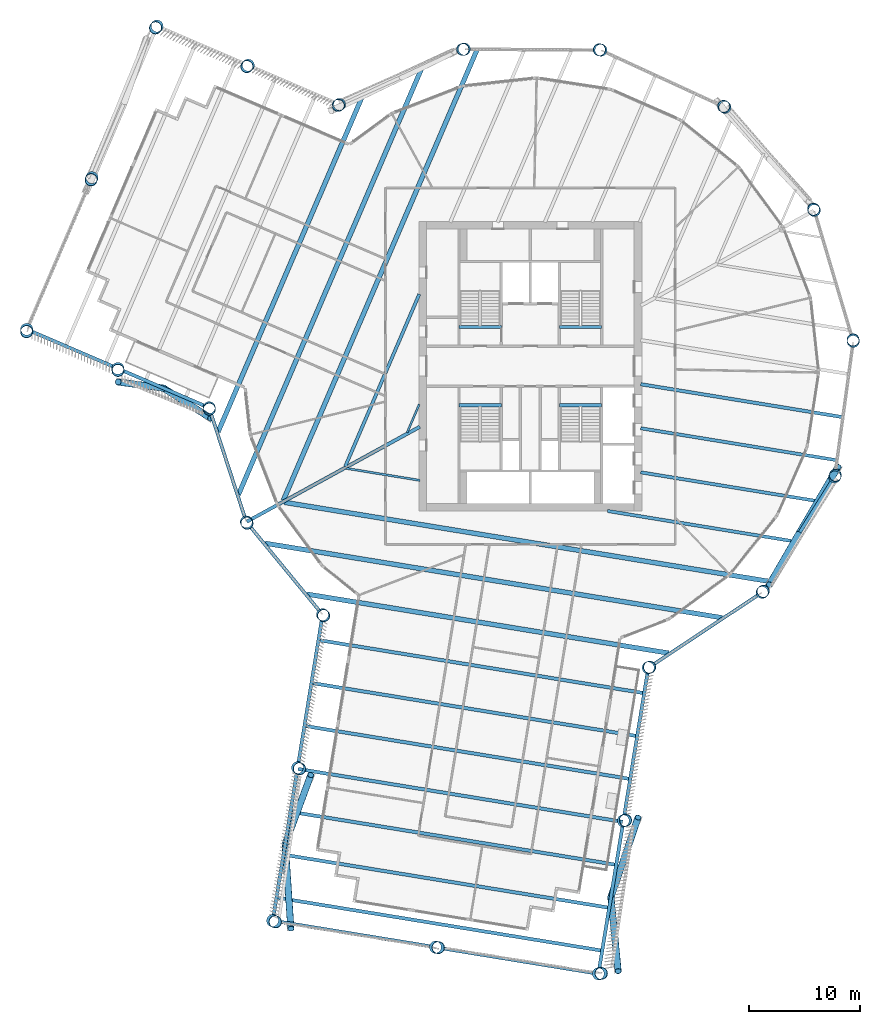
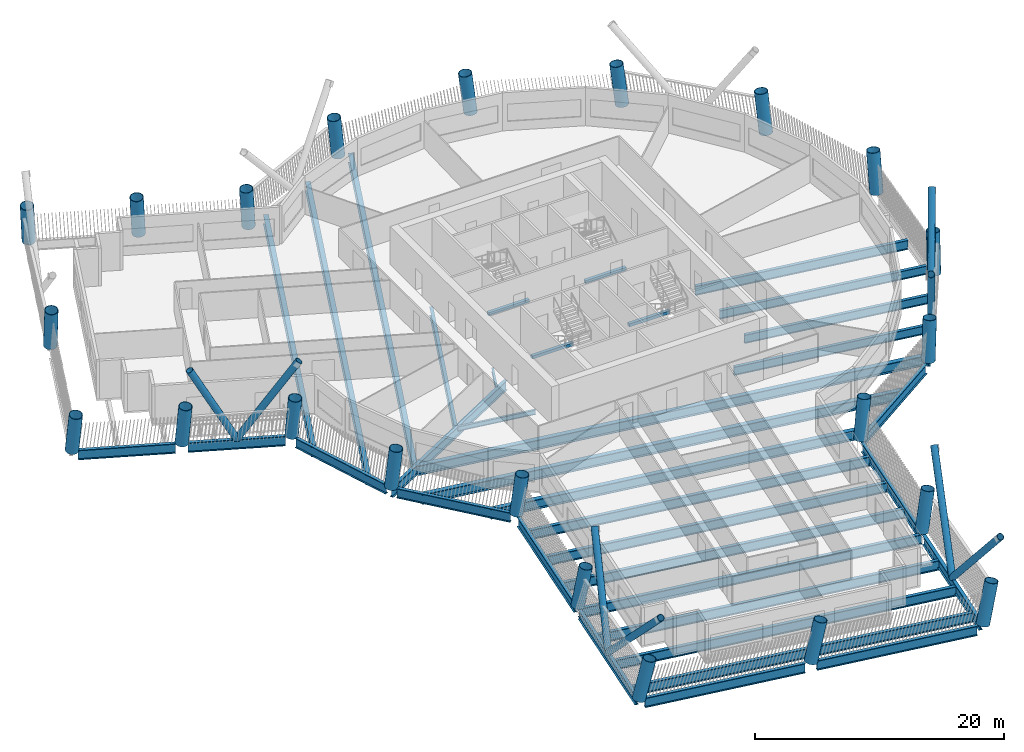
# One storey, part 1 of 22: 37 beams, 22 columns, 8 members.
"""IFC4 building model written with IfcOpenShell, lengths in metres."""

from ifc_helpers import new_model, si_unit, direction, frame, origin, origin_2d, place, context, subcontext, project, spatial, rectangle, hollow_circle, i_section, extrude, material, material_profile, profile_set, type_object, element, save


model = new_model("IFC4")

# Units and contexts
model_context = context("Model", 3, precision=1e-05, world=origin(), true_north=direction((0.0, 1.0)))
body_context = subcontext(model_context, "Body", "Model", "MODEL_VIEW")
ifc_project = project(units=[si_unit("LENGTHUNIT", "METRE"), si_unit("AREAUNIT", "SQUARE_METRE"), si_unit("VOLUMEUNIT", "CUBIC_METRE"), si_unit("PLANEANGLEUNIT", "RADIAN"), si_unit("MASSUNIT", "GRAM", prefix="KILO")], contexts=[model_context])

# Site, building, storey
site_placement = place(None, origin())
site = spatial("IfcSite", under=ifc_project, at=site_placement, CompositionType="ELEMENT")
building_placement = place(site_placement, origin())
building = spatial("IfcBuilding", under=site, at=building_placement, Name="Tarsis Ring Headquarters", CompositionType="ELEMENT")
storey_placement = place(building_placement, frame((0.0, 0.0, 186.60009765625)))
storey = spatial("IfcBuildingStorey", under=building, at=storey_placement, Name="L43", CompositionType="ELEMENT", Elevation=186.60009765625)

# Columns
ifc_material_1 = material(Name="Structural steel S355", Category="steel")
ifc_material_profile_1 = material_profile(ifc_material_1, hollow_circle(Radius=0.558837890625, WallThickness=0.044921875, at=origin_2d()), Name="CHS 1118x45")
ifc_profile_set_1 = profile_set([ifc_material_profile_1], Name="Structural steel S355")
column_type = type_object("IfcColumnType", Name="XC Exo column CHS 1118x45", PredefinedType="COLUMN", material=ifc_profile_set_1)
for number, where, z_axis, x_axis, name in (
    (1, (-25.469970703125, -13.9677734375, 0.0009765625), (0.056642316248, -0.101395970515, 0.993232352057), (0.873017307171, 0.487689226228, 0.0), "Exo column XC4 F1"),
    (2, (-18.629150390625, -22.288330078125, 0.0009765625), (0.089755552183, -0.073821140699, 0.99322423452), (0.635219013944, 0.77233205574, 0.0), "Exo column XC4 AK"),
):
    element("IfcColumn", number, at=place(storey_placement, frame(where, z_axis=z_axis, x_axis=x_axis)), inside=storey, type_object=column_type, Name=name, PredefinedType="COLUMN", context=body_context, shape_type="SweptSolid", body=[
        extrude(hollow_circle(Radius=0.558837890625, WallThickness=0.044921875, at=origin_2d()), origin(), (0.0, 0.0, 1.0), 3.92236328125),
    ])
column_1_placement = place(storey_placement, frame((-20.8662109375, -36.009521484375, 0.001220703125), z_axis=(0.143691578264, -0.081738496758, 0.986241120864), x_axis=(0.494446303218, 0.869208176005, 0.0)))
element("IfcColumn", 3, at=column_1_placement, inside=storey, type_object=column_type, Name="Exo column XC4 AI1", PredefinedType="COLUMN", context=body_context, shape_type="SweptSolid", body=[
    extrude(hollow_circle(Radius=0.558837890625, WallThickness=0.044921875, at=origin_2d()), origin(), (0.0, 0.0, 1.0), 3.94873046875),
])
column_2_placement = place(storey_placement, frame((-23.10302734375, -49.73046875, 0.00146484375), z_axis=(0.196273806454, -0.089348980848, 0.976469842095), x_axis=(0.4143163636, 0.91013293032, 0.0)))
element("IfcColumn", 4, at=column_2_placement, inside=storey, type_object=column_type, Name="Exo column XC4 AT1", PredefinedType="COLUMN", context=body_context, shape_type="SweptSolid", body=[
    extrude(hollow_circle(Radius=0.558837890625, WallThickness=0.044921875, at=origin_2d()), origin(), (0.0, 0.0, 1.0), 3.986572265625),
])
column_3_placement = place(storey_placement, frame((-8.49609375, -52.112060546875, 0.00146484375), z_axis=(0.205550533329, -0.031835489943, 0.97812855997), x_axis=(0.15305432001, 0.988217777176, 0.0)))
element("IfcColumn", 5, at=column_3_placement, inside=storey, type_object=column_type, Name="Exo column XC4 AT2", PredefinedType="COLUMN", context=body_context, shape_type="SweptSolid", body=[
    extrude(hollow_circle(Radius=0.558837890625, WallThickness=0.044921875, at=origin_2d()), origin(), (0.0, 0.0, 1.0), 3.980224609375),
])
column_4_placement = place(storey_placement, frame((6.111083984375, -54.493408203125, 0.00146484375), z_axis=(0.214153962009, 0.025720521602, 0.976461230835), x_axis=(-0.119245979902, 0.992864742187, 0.0)))
element("IfcColumn", 6, at=column_4_placement, inside=storey, type_object=column_type, Name="Exo column XC4 AT3", PredefinedType="COLUMN", context=body_context, shape_type="SweptSolid", body=[
    extrude(hollow_circle(Radius=0.558837890625, WallThickness=0.044921875, at=origin_2d()), origin(), (0.0, 0.0, 1.0), 3.986572265625),
])
column_5_placement = place(storey_placement, frame((8.34814453125, -40.7724609375, 0.001220703125), z_axis=(0.161683997741, 0.034439000666, 0.9862414715), x_axis=(-0.208328421971, 0.978058929001, 0.0)))
element("IfcColumn", 7, at=column_5_placement, inside=storey, type_object=column_type, Name="Exo column XC4 AO1", PredefinedType="COLUMN", context=body_context, shape_type="SweptSolid", body=[
    extrude(hollow_circle(Radius=0.558837890625, WallThickness=0.044921875, at=origin_2d()), origin(), (0.0, 0.0, 1.0), 3.94873046875),
])
for number, where, z_axis, x_axis, name in (
    (8, (10.585205078125, -27.05126953125, 0.0009765625), (0.107868712757, 0.043197280238, 0.993226225886), (-0.371760079609, 0.928328844327, 0.0), "Exo column XC4 AJ"),
    (9, (20.79443359375, -20.283203125, 0.0009765625), (0.080481600141, 0.083780536574, 0.993228842579), (-0.721162441979, 0.692766001099, 0.0), "Exo column XC4 R1"),
    (10, (27.30615234375, -9.908935546875, 0.0009765625), (0.038777901548, 0.109549127968, 0.993224678969), (-0.942683396708, 0.333688497812, 0.0), "Exo column XC4 R2"),
    (11, (28.962890625, 2.2275390625, 0.0009765625), (-0.009772308182, 0.11577384216, 0.993227526534), (-0.996456517723, -0.084109501765, 0.0), "Exo column XC4 R3"),
    (12, (25.469970703125, 13.9677734375, 0.0009765625), (-0.056642316248, 0.101395970515, 0.993232352057), (-0.873017307171, -0.487689226228, 0.0), "Exo column XC4 R4"),
    (13, (17.4482421875, 23.224365234375, 0.0009765625), (-0.093428091544, 0.069090727258, 0.993225887257), (-0.594586842344, -0.80403139672, 0.0), "Exo column XC4 R5"),
    (14, (6.32421875, 28.351806640625, 0.0009765625), (-0.113595293318, 0.024399646565, 0.993227449572), (-0.210004684309, -0.977700379753, 0.0), "Exo column XC4 R6"),
    (15, (-5.92431640625, 28.43798828125, 0.0009765625), (-0.113533332594, -0.024586439898, 0.993229927742), (0.211650986014, -0.97734531263, 0.0), "Exo column XC4 R7"),
    (16, (-17.119384765625, 23.4677734375, 0.0009765625), (-0.093365586661, -0.069215021578, 0.993223110895), (0.595534892655, -0.803329441531, 0.0), "Exo column XC4 BJ"),
):
    element("IfcColumn", number, at=place(storey_placement, frame(where, z_axis=z_axis, x_axis=x_axis)), inside=storey, type_object=column_type, Name=name, PredefinedType="COLUMN", context=body_context, shape_type="SweptSolid", body=[
        extrude(hollow_circle(Radius=0.558837890625, WallThickness=0.044921875, at=origin_2d()), origin(), (0.0, 0.0, 1.0), 3.92236328125),
    ])
column_6_placement = place(storey_placement, frame((-25.298095703125, 26.9833984375, 0.0009765625), z_axis=(-0.106701858614, -0.10161786535, 0.989084689402), x_axis=(0.689644665559, -0.724147937417, 0.0)))
element("IfcColumn", 17, at=column_6_placement, inside=storey, type_object=column_type, Name="Exo column XC4 BO1", PredefinedType="COLUMN", context=body_context, shape_type="SweptSolid", body=[
    extrude(hollow_circle(Radius=0.558837890625, WallThickness=0.044921875, at=origin_2d()), origin(), (0.0, 0.0, 1.0), 3.937744140625),
])
column_7_placement = place(storey_placement, frame((-33.476806640625, 30.498779296875, 0.001220703125), z_axis=(-0.119847564921, -0.133602586525, 0.983761612413), x_axis=(0.744386817455, -0.667748654809, 0.0)))
element("IfcColumn", 18, at=column_7_placement, inside=storey, type_object=column_type, Name="Exo column XC4 BT3", PredefinedType="COLUMN", context=body_context, shape_type="SweptSolid", body=[
    extrude(hollow_circle(Radius=0.558837890625, WallThickness=0.044921875, at=origin_2d()), origin(), (0.0, 0.0, 1.0), 3.9580078125),
])
column_8_placement = place(storey_placement, frame((-39.3212890625, 16.901611328125, 0.001220703125), z_axis=(-0.065862726311, -0.156562991063, 0.985469497809), x_axis=(0.921758577862, -0.387764263615, 0.0)))
element("IfcColumn", 19, at=column_8_placement, inside=storey, type_object=column_type, Name="Exo column XC4 BT2", PredefinedType="COLUMN", context=body_context, shape_type="SweptSolid", body=[
    extrude(hollow_circle(Radius=0.558837890625, WallThickness=0.044921875, at=origin_2d()), origin(), (0.0, 0.0, 1.0), 3.951416015625),
])
column_9_placement = place(storey_placement, frame((-45.166015625, 3.304443359375, 0.001220703125), z_axis=(-0.011658053665, -0.179003554163, 0.983779354013), x_axis=(0.997885927386, -0.064989814016, 0.0)))
element("IfcColumn", 20, at=column_9_placement, inside=storey, type_object=column_type, Name="Exo column XC4 BT1", PredefinedType="COLUMN", context=body_context, shape_type="SweptSolid", body=[
    extrude(hollow_circle(Radius=0.558837890625, WallThickness=0.044921875, at=origin_2d()), origin(), (0.0, 0.0, 1.0), 3.9580078125),
])
column_10_placement = place(storey_placement, frame((-36.9873046875, -0.2109375, 0.0009765625), z_axis=(0.002046003962, -0.147312285281, 0.989087915442), x_axis=(0.999903563335, 0.013887549491, 0.0)))
element("IfcColumn", 21, at=column_10_placement, inside=storey, type_object=column_type, Name="Exo column XC4 BI1", PredefinedType="COLUMN", context=body_context, shape_type="SweptSolid", body=[
    extrude(hollow_circle(Radius=0.558837890625, WallThickness=0.044921875, at=origin_2d()), origin(), (0.0, 0.0, 1.0), 3.937744140625),
])
column_11_placement = place(storey_placement, frame((-28.80859375, -3.726318359375, 0.0009765625), z_axis=(0.015809891552, -0.115150784929, 0.993222202762), x_axis=(0.990705920457, 0.136021245295, 0.0)))
element("IfcColumn", 22, at=column_11_placement, inside=storey, type_object=column_type, Name="Exo column XC4 BK", PredefinedType="COLUMN", context=body_context, shape_type="SweptSolid", body=[
    extrude(hollow_circle(Radius=0.558837890625, WallThickness=0.044921875, at=origin_2d()), origin(), (0.0, 0.0, 1.0), 3.92236328125),
])

# Beams
ifc_material_profile_2 = material_profile(ifc_material_1, i_section(OverallWidth=0.177734375, OverallDepth=0.406494140625, WebThickness=0.0078125, FlangeThickness=0.0126953125, at=origin_2d()), Name="W16x40")
ifc_profile_set_2 = profile_set([ifc_material_profile_2], Name="Structural steel S355")
beam_type_1 = type_object("IfcBeamType", Name="FB Floor beam W16x40", PredefinedType="JOIST", material=ifc_profile_set_2)
beam_1_placement = place(storey_placement, frame((-9.96044921875, -3.4208984375, -0.36328125), z_axis=(-0.394902870018, -0.918722876199, 0.0), x_axis=(0.918722876199, -0.394902870018, 0.0)))
element("IfcBeam", 23, at=beam_1_placement, inside=storey, type_object=beam_type_1, Name="Floor beam FB1", PredefinedType="JOIST", context=body_context, shape_type="SweptSolid", body=[
    extrude(i_section(OverallWidth=0.177734375, OverallDepth=0.406494140625, WebThickness=0.0078125, FlangeThickness=0.0126953125, at=origin_2d()), origin(), (0.0, 0.0, 1.0), 2.75537109375),
])
ifc_material_profile_3 = material_profile(ifc_material_1, i_section(OverallWidth=0.1904296875, OverallDepth=0.457275390625, WebThickness=0.009033203125, FlangeThickness=0.014404296875, at=origin_2d()), Name="W18x50")
ifc_profile_set_3 = profile_set([ifc_material_profile_3], Name="Structural steel S355")
beam_type_2 = type_object("IfcBeamType", Name="FB Floor beam W18x50", PredefinedType="JOIST", material=ifc_profile_set_3)
beam_2_placement = place(storey_placement, frame((-16.51318359375, -9.162109375, -0.388671875), z_axis=(0.986965031989, -0.160934849024, 0.0), x_axis=(0.160934849024, 0.986965031989, 0.0)))
element("IfcBeam", 24, at=beam_2_placement, inside=storey, type_object=beam_type_2, Name="Floor beam FB2", PredefinedType="JOIST", context=body_context, shape_type="SweptSolid", body=[
    extrude(i_section(OverallWidth=0.1904296875, OverallDepth=0.457275390625, WebThickness=0.009033203125, FlangeThickness=0.014404296875, at=origin_2d()), origin(), (0.0, 0.0, 1.0), 6.69921875),
])
ifc_material_profile_4 = material_profile(ifc_material_1, i_section(OverallWidth=0.2919921875, OverallDepth=0.835693359375, WebThickness=0.013916015625, FlangeThickness=0.018798828125, at=origin_2d()), Name="W33x118")
ifc_profile_set_4 = profile_set([ifc_material_profile_4], Name="Structural steel S355")
beam_type_3 = type_object("IfcBeamType", Name="FB Floor beam W33x118", PredefinedType="JOIST", material=ifc_profile_set_4)
beam_3_placement = place(storey_placement, frame((9.9013671875, -5.56591796875, -0.577880859375), z_axis=(0.986968456573, -0.160913845676, 0.0), x_axis=(0.160913845676, 0.986968456573, 0.0)))
element("IfcBeam", 25, at=beam_3_placement, inside=storey, type_object=beam_type_3, Name="Floor beam FB7", PredefinedType="JOIST", context=body_context, shape_type="SweptSolid", body=[
    extrude(i_section(OverallWidth=0.2919921875, OverallDepth=0.835693359375, WebThickness=0.013916015625, FlangeThickness=0.018798828125, at=origin_2d()), origin(), (0.0, 0.0, 1.0), 17.783203125),
])
beam_4_placement = place(storey_placement, frame((9.9013671875, -9.517333984375, -0.577880859375), z_axis=(0.986968561467, -0.160913202304, 0.0), x_axis=(0.160913202304, 0.986968561467, 0.0)))
element("IfcBeam", 26, at=beam_4_placement, inside=storey, type_object=beam_type_3, Name="Floor beam FB7", PredefinedType="JOIST", context=body_context, shape_type="SweptSolid", body=[
    extrude(i_section(OverallWidth=0.2919921875, OverallDepth=0.835693359375, WebThickness=0.013916015625, FlangeThickness=0.018798828125, at=origin_2d()), origin(), (0.0, 0.0, 1.0), 16.1552734375),
])
beam_5_placement = place(storey_placement, frame((6.92724609375, -12.98388671875, -0.577880859375), z_axis=(0.986967200327, -0.1609215507, 0.0), x_axis=(0.1609215507, 0.986967200327, 0.0)))
element("IfcBeam", 27, at=beam_5_placement, inside=storey, type_object=beam_type_3, Name="Floor beam FB7", PredefinedType="JOIST", context=body_context, shape_type="SweptSolid", body=[
    extrude(i_section(OverallWidth=0.2919921875, OverallDepth=0.835693359375, WebThickness=0.013916015625, FlangeThickness=0.018798828125, at=origin_2d()), origin(), (0.0, 0.0, 1.0), 16.888916015625),
])
beam_6_placement = place(storey_placement, frame((-9.96044921875, 6.454833984375, -0.577880859375), z_axis=(-0.394908804666, -0.918720325234, 0.0), x_axis=(0.918720325234, -0.394908804666, 0.0)))
element("IfcBeam", 28, at=beam_6_placement, inside=storey, type_object=beam_type_3, Name="Floor beam FB7", PredefinedType="JOIST", context=body_context, shape_type="SweptSolid", body=[
    extrude(i_section(OverallWidth=0.2919921875, OverallDepth=0.835693359375, WebThickness=0.013916015625, FlangeThickness=0.018798828125, at=origin_2d()), origin(), (0.0, 0.0, 1.0), 16.820556640625),
])
ifc_material_profile_5 = material_profile(ifc_material_1, i_section(OverallWidth=0.3046875, OverallDepth=0.904296875, WebThickness=0.01513671875, FlangeThickness=0.02001953125, at=origin_2d()), Name="W36x135")
ifc_profile_set_5 = profile_set([ifc_material_profile_5], Name="Structural steel S355")
beam_type_4 = type_object("IfcBeamType", Name="FB Floor beam W36x135", PredefinedType="JOIST", material=ifc_profile_set_5)
beam_7_placement = place(storey_placement, frame((9.9013671875, -1.6142578125, -0.6123046875), z_axis=(0.986967375374, -0.160920477094, 0.0), x_axis=(0.160920477094, 0.986967375374, 0.0)))
element("IfcBeam", 29, at=beam_7_placement, inside=storey, type_object=beam_type_4, Name="Floor beam FB8", PredefinedType="JOIST", context=body_context, shape_type="SweptSolid", body=[
    extrude(i_section(OverallWidth=0.3046875, OverallDepth=0.904296875, WebThickness=0.01513671875, FlangeThickness=0.02001953125, at=origin_2d()), origin(), (0.0, 0.0, 1.0), 18.318115234375),
])
ifc_material_profile_6 = material_profile(ifc_material_1, i_section(OverallWidth=0.309814453125, OverallDepth=0.949951171875, WebThickness=0.0244140625, FlangeThickness=0.0439453125, at=origin_2d()), Name="W36x256")
ifc_profile_set_6 = profile_set([ifc_material_profile_6], Name="Structural steel S355")
beam_type_5 = type_object("IfcBeamType", Name="FB Floor beam W36x256", PredefinedType="JOIST", material=ifc_profile_set_6)
beam_8_placement = place(storey_placement, frame((-18.94580078125, -24.571533203125, -0.635009765625), z_axis=(0.986968403352, -0.160914172106, 0.0), x_axis=(0.160914172106, 0.986968403352, 0.0)))
element("IfcBeam", 30, at=beam_8_placement, inside=storey, type_object=beam_type_5, Name="Floor beam FB11", PredefinedType="JOIST", context=body_context, shape_type="SweptSolid", body=[
    extrude(i_section(OverallWidth=0.309814453125, OverallDepth=0.949951171875, WebThickness=0.0244140625, FlangeThickness=0.0439453125, at=origin_2d()), origin(), (0.0, 0.0, 1.0), 29.489990234375),
])
beam_9_placement = place(storey_placement, frame((-19.573486328125, -28.420654296875, -0.635009765625), z_axis=(0.986968617714, -0.160912857308, 0.0), x_axis=(0.160912857308, 0.986968617714, 0.0)))
element("IfcBeam", 31, at=beam_9_placement, inside=storey, type_object=beam_type_5, Name="Floor beam FB11", PredefinedType="JOIST", context=body_context, shape_type="SweptSolid", body=[
    extrude(i_section(OverallWidth=0.309814453125, OverallDepth=0.949951171875, WebThickness=0.0244140625, FlangeThickness=0.0439453125, at=origin_2d()), origin(), (0.0, 0.0, 1.0), 29.490234375),
])
for number, where, z_axis, x_axis, name in (
    (32, (-20.200927734375, -32.269775390625, -0.635009765625), (0.986967088512, -0.160922236481, 0.0), (0.160922236481, 0.986967088512, 0.0), "Floor beam FB11"),
    (33, (-20.82861328125, -36.119140625, -0.635009765625), (0.986968403352, -0.160914172106, 0.0), (0.160914172106, 0.986968403352, 0.0), "Floor beam FB11"),
    (34, (-21.4560546875, -39.96826171875, -0.635009765625), (0.986968403352, -0.160914172106, 0.0), (0.160914172106, 0.986968403352, 0.0), "Floor beam FB11"),
    (35, (-22.083740234375, -43.8173828125, -0.635009765625), (0.986968403352, -0.160914172106, 0.0), (0.160914172106, 0.986968403352, 0.0), "Floor beam FB11"),
    (36, (-22.711181640625, -47.66650390625, -0.635009765625), (0.986967088512, -0.160922236481, 0.0), (0.160922236481, 0.986967088512, 0.0), "Floor beam FB11"),
):
    element("IfcBeam", number, at=place(storey_placement, frame(where, z_axis=z_axis, x_axis=x_axis)), inside=storey, type_object=beam_type_5, Name=name, PredefinedType="JOIST", context=body_context, shape_type="SweptSolid", body=[
        extrude(i_section(OverallWidth=0.309814453125, OverallDepth=0.949951171875, WebThickness=0.0244140625, FlangeThickness=0.0439453125, at=origin_2d()), origin(), (0.0, 0.0, 1.0), 29.489990234375),
    ])
beam_type_6 = type_object("IfcBeamType", Name="FB Floor beam W36x256 spine", PredefinedType="BEAM", material=ifc_profile_set_6)
beam_10_placement = place(storey_placement, frame((-9.912353515625, -5.435791015625, -0.635009765625), z_axis=(-0.876806025498, -0.480844250928, 0.0), x_axis=(0.480844250928, -0.876806025498, 0.0)))
element("IfcBeam", 37, at=beam_10_placement, inside=storey, type_object=beam_type_6, Name="Floor beam SB11", PredefinedType="BEAM", context=body_context, shape_type="SweptSolid", body=[
    extrude(i_section(OverallWidth=0.309814453125, OverallDepth=0.949951171875, WebThickness=0.0244140625, FlangeThickness=0.0439453125, at=origin_2d()), origin(), (0.0, 0.0, 1.0), 17.685791015625),
])
ifc_material_profile_7 = material_profile(ifc_material_1, i_section(OverallWidth=0.42431640625, OverallDepth=0.947509765625, WebThickness=0.02392578125, FlangeThickness=0.042724609375, at=origin_2d()), Name="W36x302")
ifc_profile_set_7 = profile_set([ifc_material_profile_7], Name="Structural steel S355")
beam_type_7 = type_object("IfcBeamType", Name="FB Floor beam W36x302", PredefinedType="JOIST", material=ifc_profile_set_7)
beam_11_placement = place(storey_placement, frame((-22.0673828125, -12.2080078125, -0.6337890625), z_axis=(0.986968163142, -0.160915645429, 0.0), x_axis=(0.160915645429, 0.986968163142, 0.0)))
element("IfcBeam", 38, at=beam_11_placement, inside=storey, type_object=beam_type_7, Name="Floor beam FB12", PredefinedType="JOIST", context=body_context, shape_type="SweptSolid", body=[
    extrude(i_section(OverallWidth=0.42431640625, OverallDepth=0.947509765625, WebThickness=0.02392578125, FlangeThickness=0.042724609375, at=origin_2d()), origin(), (0.0, 0.0, 1.0), 43.986572265625),
])
beam_12_placement = place(storey_placement, frame((-23.78271484375, -15.8798828125, -0.6337890625), z_axis=(0.986967948529, -0.160916961745, 0.0), x_axis=(0.160916961745, 0.986967948529, 0.0)))
element("IfcBeam", 39, at=beam_12_placement, inside=storey, type_object=beam_type_7, Name="Floor beam FB12", PredefinedType="JOIST", context=body_context, shape_type="SweptSolid", body=[
    extrude(i_section(OverallWidth=0.42431640625, OverallDepth=0.947509765625, WebThickness=0.02392578125, FlangeThickness=0.042724609375, at=origin_2d()), origin(), (0.0, 0.0, 1.0), 41.52392578125),
])
beam_13_placement = place(storey_placement, frame((-20.031005859375, -20.443115234375, -0.6337890625), z_axis=(0.986968623155, -0.160912823934, 0.0), x_axis=(0.160912823934, 0.986968623155, 0.0)))
element("IfcBeam", 40, at=beam_13_placement, inside=storey, type_object=beam_type_7, Name="Floor beam FB12", PredefinedType="JOIST", context=body_context, shape_type="SweptSolid", body=[
    extrude(i_section(OverallWidth=0.42431640625, OverallDepth=0.947509765625, WebThickness=0.02392578125, FlangeThickness=0.042724609375, at=origin_2d()), origin(), (0.0, 0.0, 1.0), 32.875244140625),
])
beam_14_placement = place(storey_placement, frame((-4.78662109375, 28.3671875, -0.6337890625), z_axis=(-0.394905114579, -0.918721911396, 0.0), x_axis=(0.918721911396, -0.394905114579, 0.0)))
element("IfcBeam", 41, at=beam_14_placement, inside=storey, type_object=beam_type_7, Name="Floor beam FB12", PredefinedType="JOIST", context=body_context, shape_type="SweptSolid", body=[
    extrude(i_section(OverallWidth=0.42431640625, OverallDepth=0.947509765625, WebThickness=0.02392578125, FlangeThickness=0.042724609375, at=origin_2d()), origin(), (0.0, 0.0, 1.0), 43.98681640625),
])
beam_15_placement = place(storey_placement, frame((-9.777587890625, 26.632080078125, -0.6337890625), z_axis=(-0.394906126918, -0.91872147625, 0.0), x_axis=(0.91872147625, -0.394906126918, 0.0)))
element("IfcBeam", 42, at=beam_15_placement, inside=storey, type_object=beam_type_7, Name="Floor beam FB12", PredefinedType="JOIST", context=body_context, shape_type="SweptSolid", body=[
    extrude(i_section(OverallWidth=0.42431640625, OverallDepth=0.947509765625, WebThickness=0.02392578125, FlangeThickness=0.042724609375, at=origin_2d()), origin(), (0.0, 0.0, 1.0), 41.523681640625),
])
beam_16_placement = place(storey_placement, frame((-15.023681640625, 24.30322265625, -0.6337890625), z_axis=(-0.394904968864, -0.918721974031, 0.0), x_axis=(0.918721974031, -0.394904968864, 0.0)))
element("IfcBeam", 43, at=beam_16_placement, inside=storey, type_object=beam_type_7, Name="Floor beam FB12", PredefinedType="JOIST", context=body_context, shape_type="SweptSolid", body=[
    extrude(i_section(OverallWidth=0.42431640625, OverallDepth=0.947509765625, WebThickness=0.02392578125, FlangeThickness=0.042724609375, at=origin_2d()), origin(), (0.0, 0.0, 1.0), 32.87548828125),
])
ifc_material_2 = material(Name="Concrete C40/50", Category="concrete")
ifc_material_profile_8 = material_profile(ifc_material_2, rectangle(XDim=0.300048828125, YDim=0.300048828125, at=origin_2d()), Name="Stair head beam 300x300 C40/50")
ifc_profile_set_8 = profile_set([ifc_material_profile_8], Name="Concrete C40/50")
beam_type_8 = type_object("IfcBeamType", Name="Stair head beam 300x300 C40/50", PredefinedType="BEAM", material=ifc_profile_set_8)
for number, where, z_axis, x_axis, name in (
    (44, (-6.39990234375, 3.510009765625, -0.31005859375), (1.0, 0.0, 0.0), (0.0, 1.0, 0.0), "Stair head beam L43 Firefighting stair"),
    (45, (2.60009765625, 3.510009765625, -0.31005859375), (1.0, 0.0, 0.0), (0.0, 1.0, 0.0), "Stair head beam L43 Exit stair B"),
    (46, (-6.39990234375, -3.510009765625, -0.31005859375), (1.0, 0.0, 0.0), (0.0, 1.0, 0.0), "Stair head beam L43 Exit stair C"),
    (47, (2.60009765625, -3.510009765625, -0.31005859375), (1.0, 0.0, 0.0), (0.0, 1.0, 0.0), "Stair head beam L43 Exit stair D"),
):
    element("IfcBeam", number, at=place(storey_placement, frame(where, z_axis=z_axis, x_axis=x_axis)), inside=storey, type_object=beam_type_8, Name=name, PredefinedType="BEAM", context=body_context, shape_type="SweptSolid", body=[
        extrude(rectangle(XDim=0.300048828125, YDim=0.300048828125, at=origin_2d()), origin(), (0.0, 0.0, 1.0), 3.7998046875),
    ])

# Members
ifc_material_profile_9 = material_profile(ifc_material_1, hollow_circle(Radius=0.3046875, WallThickness=0.02490234375, at=origin_2d()), Name="CHS 610x25")
ifc_profile_set_9 = profile_set([ifc_material_profile_9], Name="Structural steel S355")
member_type = type_object("IfcMemberType", Name="XD X brace CHS 610x25", PredefinedType="BRACE", material=ifc_profile_set_9)
member_1_placement = place(storey_placement, frame((-21.98486328125, -42.869873046875, 0.0), z_axis=(0.04662651344, -0.696371461549, 0.716165313168), x_axis=(0.997765930433, 0.066806796565, 0.0)))
element("IfcMember", 48, at=member_1_placement, inside=storey, type_object=member_type, Name="X brace XD1", PredefinedType="BRACE", context=body_context, shape_type="SweptSolid", body=[
    extrude(hollow_circle(Radius=0.3046875, WallThickness=0.02490234375, at=origin_2d()), origin(), (0.0, 0.0, 1.0), 10.89111328125),
])
member_2_placement = place(storey_placement, frame((-21.98486328125, -42.869873046875, 0.0), z_axis=(0.224738533804, 0.606464596637, 0.762688196086), x_axis=(-0.937687301907, 0.347480249573, 0.0)))
element("IfcMember", 49, at=member_2_placement, inside=storey, type_object=member_type, Name="X brace XD1", PredefinedType="BRACE", context=body_context, shape_type="SweptSolid", body=[
    extrude(hollow_circle(Radius=0.3046875, WallThickness=0.02490234375, at=origin_2d()), origin(), (0.0, 0.0, 1.0), 10.226806640625),
])
member_3_placement = place(storey_placement, frame((7.229248046875, -47.6328125, 0.0), z_axis=(0.224467181825, 0.658631897157, 0.718205060085), x_axis=(-0.946539337133, 0.322588411539, 0.0)))
element("IfcMember", 50, at=member_3_placement, inside=storey, type_object=member_type, Name="X brace XD1", PredefinedType="BRACE", context=body_context, shape_type="SweptSolid", body=[
    extrude(hollow_circle(Radius=0.3046875, WallThickness=0.02490234375, at=origin_2d()), origin(), (0.0, 0.0, 1.0), 10.860107421875),
])
member_4_placement = place(storey_placement, frame((7.229248046875, -47.6328125, 0.0), z_axis=(0.063060206424, -0.64656938443, 0.760244330123), x_axis=(0.995277569063, 0.097069874426, 0.0)))
element("IfcMember", 51, at=member_4_placement, inside=storey, type_object=member_type, Name="X brace XD1", PredefinedType="BRACE", context=body_context, shape_type="SweptSolid", body=[
    extrude(hollow_circle(Radius=0.3046875, WallThickness=0.02490234375, at=origin_2d()), origin(), (0.0, 0.0, 1.0), 10.259521484375),
])
member_5_placement = place(storey_placement, frame((24.05029296875, -15.09619140625, 0.0), z_axis=(0.338992708488, 0.578319934815, 0.742044470761), x_axis=(-0.862712565028, 0.505694601654, 0.0)))
element("IfcMember", 52, at=member_5_placement, inside=storey, type_object=member_type, Name="X brace XD1", PredefinedType="BRACE", context=body_context, shape_type="SweptSolid", body=[
    extrude(hollow_circle(Radius=0.3046875, WallThickness=0.02490234375, at=origin_2d()), origin(), (0.0, 0.0, 1.0), 10.51123046875),
])
member_6_placement = place(storey_placement, frame((24.05029296875, -15.09619140625, 0.0), z_axis=(-0.278232210728, -0.48011656541, 0.83191040415), x_axis=(0.865215238024, -0.501400630127, 0.0)))
element("IfcMember", 53, at=member_6_placement, inside=storey, type_object=member_type, Name="X brace XD1", PredefinedType="BRACE", context=body_context, shape_type="SweptSolid", body=[
    extrude(hollow_circle(Radius=0.3046875, WallThickness=0.02490234375, at=origin_2d()), origin(), (0.0, 0.0, 1.0), 9.375732421875),
])
member_7_placement = place(storey_placement, frame((-32.89794921875, -1.968505859375, 0.0), z_axis=(0.455832738345, -0.290281282762, 0.841399602764), x_axis=(0.537146655089, 0.843488868289, 0.0)))
element("IfcMember", 54, at=member_7_placement, inside=storey, type_object=member_type, Name="X brace XD1", PredefinedType="BRACE", context=body_context, shape_type="SweptSolid", body=[
    extrude(hollow_circle(Radius=0.3046875, WallThickness=0.02490234375, at=origin_2d()), origin(), (0.0, 0.0, 1.0), 9.27001953125),
])
member_8_placement = place(storey_placement, frame((-32.89794921875, -1.968505859375, 0.0), z_axis=(-0.46106216249, 0.063249904877, 0.88511080202), x_axis=(-0.135910132802, -0.990721169554, 0.0)))
element("IfcMember", 55, at=member_8_placement, inside=storey, type_object=member_type, Name="X brace XD1", PredefinedType="BRACE", context=body_context, shape_type="SweptSolid", body=[
    extrude(hollow_circle(Radius=0.3046875, WallThickness=0.02490234375, at=origin_2d()), origin(), (0.0, 0.0, 1.0), 8.812255859375),
])

# Beams
beam_type_9 = type_object("IfcBeamType", Name="XG Ring girder W36x256", PredefinedType="BEAM", material=ifc_profile_set_6)
beam_17_placement = place(storey_placement, frame((-25.150634765625, -14.35595703125, -0.47509765625), z_axis=(0.635062971624, -0.772460369256, 0.0), x_axis=(0.772460369256, 0.635062971624, 0.0)))
element("IfcBeam", 56, at=beam_17_placement, inside=storey, type_object=beam_type_9, Name="Ring girder XG2", PredefinedType="BEAM", context=body_context, shape_type="SweptSolid", body=[
    extrude(i_section(OverallWidth=0.309814453125, OverallDepth=0.949951171875, WebThickness=0.0244140625, FlangeThickness=0.0439453125, at=origin_2d()), origin(), (0.0, 0.0, 1.0), 9.765869140625),
])
beam_18_placement = place(storey_placement, frame((-18.710205078125, -22.78466796875, -0.47509765625), z_axis=(-0.160913631489, -0.986968491493, 0.0), x_axis=(0.986968491493, -0.160913631489, 0.0)))
element("IfcBeam", 57, at=beam_18_placement, inside=storey, type_object=beam_type_9, Name="Ring girder XG2", PredefinedType="BEAM", context=body_context, shape_type="SweptSolid", body=[
    extrude(i_section(OverallWidth=0.309814453125, OverallDepth=0.949951171875, WebThickness=0.0244140625, FlangeThickness=0.0439453125, at=origin_2d()), origin(), (0.0, 0.0, 1.0), 12.896240234375),
])
beam_19_placement = place(storey_placement, frame((-20.947265625, -36.505615234375, -0.47509765625), z_axis=(-0.160910624984, -0.986968981664, 0.0), x_axis=(0.986968981664, -0.160910624984, 0.0)))
element("IfcBeam", 58, at=beam_19_placement, inside=storey, type_object=beam_type_9, Name="Ring girder XG2", PredefinedType="BEAM", context=body_context, shape_type="SweptSolid", body=[
    extrude(i_section(OverallWidth=0.309814453125, OverallDepth=0.949951171875, WebThickness=0.0244140625, FlangeThickness=0.0439453125, at=origin_2d()), origin(), (0.0, 0.0, 1.0), 12.896484375),
])
for number, where, z_axis, x_axis, name in (
    (59, (-22.607177734375, -49.811279296875, -0.47509765625), (0.986968010569, -0.160916581226, 0.0), (0.160916581226, 0.986968010569, 0.0), "Ring girder XG2"),
    (60, (-8.0, -52.19287109375, -0.47509765625), (0.986968010569, -0.160916581226, 0.0), (0.160916581226, 0.986968010569, 0.0), "Ring girder XG2"),
):
    element("IfcBeam", number, at=place(storey_placement, frame(where, z_axis=z_axis, x_axis=x_axis)), inside=storey, type_object=beam_type_9, Name=name, PredefinedType="BEAM", context=body_context, shape_type="SweptSolid", body=[
        extrude(i_section(OverallWidth=0.309814453125, OverallDepth=0.949951171875, WebThickness=0.0244140625, FlangeThickness=0.0439453125, at=origin_2d()), origin(), (0.0, 0.0, 1.0), 13.794189453125),
    ])
beam_20_placement = place(storey_placement, frame((6.191650390625, -53.9970703125, -0.47509765625), z_axis=(0.160932072236, 0.986965484769, 0.0), x_axis=(-0.986965484769, 0.160932072236, 0.0)))
element("IfcBeam", 61, at=beam_20_placement, inside=storey, type_object=beam_type_9, Name="Ring girder XG2", PredefinedType="BEAM", context=body_context, shape_type="SweptSolid", body=[
    extrude(i_section(OverallWidth=0.309814453125, OverallDepth=0.949951171875, WebThickness=0.0244140625, FlangeThickness=0.0439453125, at=origin_2d()), origin(), (0.0, 0.0, 1.0), 12.896484375),
])
beam_21_placement = place(storey_placement, frame((8.4287109375, -40.276123046875, -0.47509765625), z_axis=(0.160929065404, 0.986965975051, 0.0), x_axis=(-0.986965975051, 0.160929065404, 0.0)))
element("IfcBeam", 62, at=beam_21_placement, inside=storey, type_object=beam_type_9, Name="Ring girder XG2", PredefinedType="BEAM", context=body_context, shape_type="SweptSolid", body=[
    extrude(i_section(OverallWidth=0.309814453125, OverallDepth=0.949951171875, WebThickness=0.0244140625, FlangeThickness=0.0439453125, at=origin_2d()), origin(), (0.0, 0.0, 1.0), 12.896728515625),
])
for number, where, z_axis, x_axis, name in (
    (63, (11.004150390625, -26.7734375, -0.47509765625), (0.833487363588, 0.552538518784, 0.0), (-0.552538518784, 0.833487363588, 0.0), "Ring girder XG2"),
    (64, (21.0615234375, -19.857421875, -0.47509765625), (0.531645342708, 0.846967077032, 0.0), (-0.846967077032, 0.531645342708, 0.0), "Ring girder XG2"),
):
    element("IfcBeam", number, at=place(storey_placement, frame(where, z_axis=z_axis, x_axis=x_axis)), inside=storey, type_object=beam_type_9, Name=name, PredefinedType="BEAM", context=body_context, shape_type="SweptSolid", body=[
        extrude(i_section(OverallWidth=0.309814453125, OverallDepth=0.949951171875, WebThickness=0.0244140625, FlangeThickness=0.0439453125, at=origin_2d()), origin(), (0.0, 0.0, 1.0), 11.242919921875),
    ])
for number, where, z_axis, x_axis, name in (
    (65, (-44.703857421875, 3.106201171875, -0.47509765625), (0.918719109347, -0.394911633306, 0.0), (0.394911633306, 0.918719109347, 0.0), "Ring girder XG2"),
    (66, (-36.525146484375, -0.409423828125, -0.47509765625), (0.918730326448, -0.394885536914, 0.0), (0.394885536914, 0.918730326448, 0.0), "Ring girder XG2"),
):
    element("IfcBeam", number, at=place(storey_placement, frame(where, z_axis=z_axis, x_axis=x_axis)), inside=storey, type_object=beam_type_9, Name=name, PredefinedType="BEAM", context=body_context, shape_type="SweptSolid", body=[
        extrude(i_section(OverallWidth=0.309814453125, OverallDepth=0.949951171875, WebThickness=0.0244140625, FlangeThickness=0.0439453125, at=origin_2d()), origin(), (0.0, 0.0, 1.0), 7.896484375),
    ])
beam_22_placement = place(storey_placement, frame((-28.652587890625, -4.204345703125, -0.47509765625), z_axis=(0.309913510847, -0.95076475313, 0.0), x_axis=(0.95076475313, 0.309913510847, 0.0)))
element("IfcBeam", 67, at=beam_22_placement, inside=storey, type_object=beam_type_9, Name="Ring girder XG2", PredefinedType="BEAM", context=body_context, shape_type="SweptSolid", body=[
    extrude(i_section(OverallWidth=0.309814453125, OverallDepth=0.949951171875, WebThickness=0.0244140625, FlangeThickness=0.0439453125, at=origin_2d()), origin(), (0.0, 0.0, 1.0), 9.765869140625),
])

save(model, "model.ifc")
